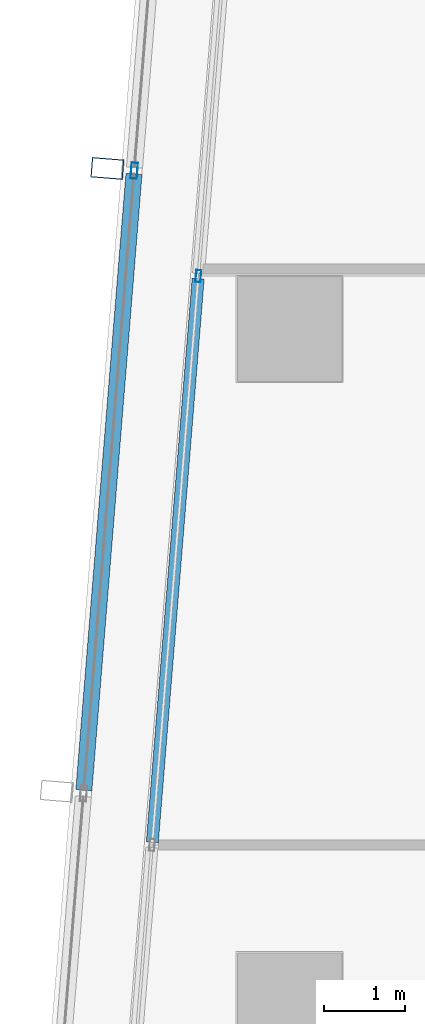
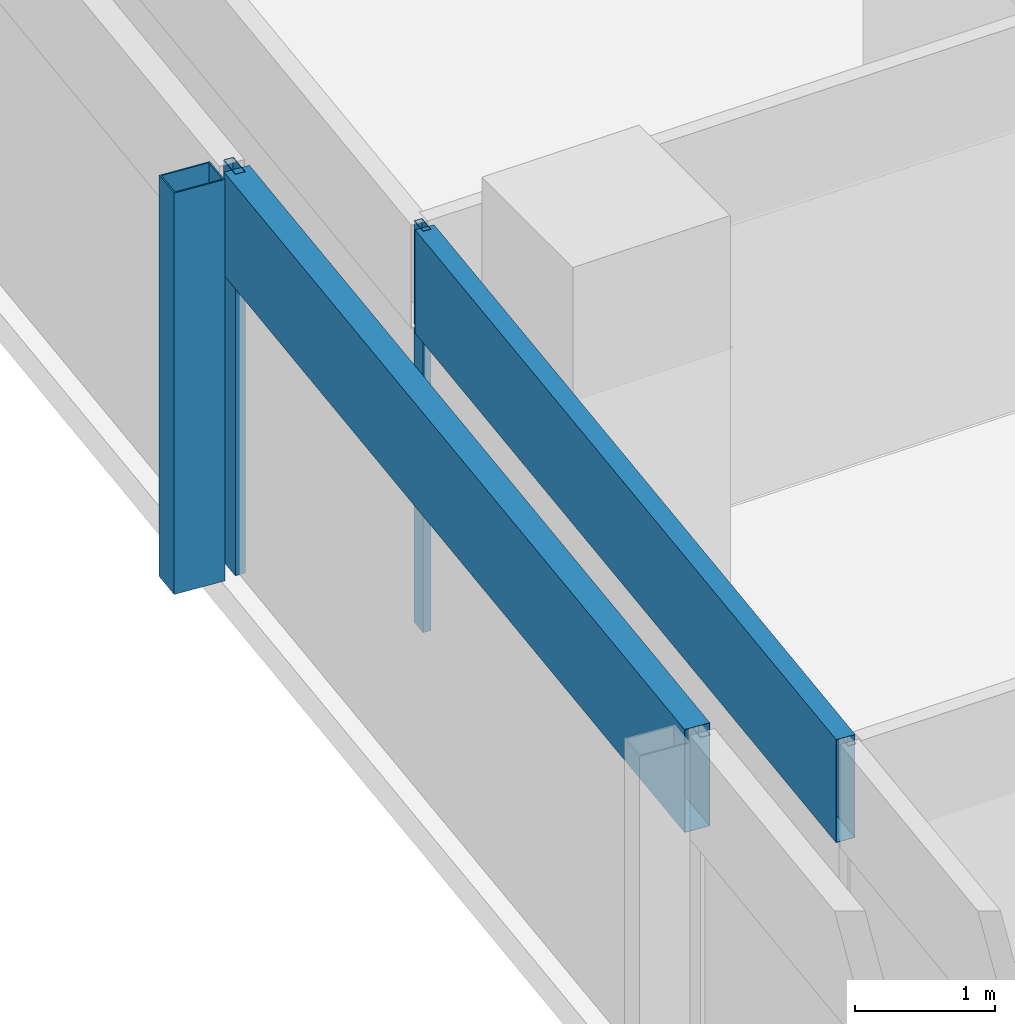
# One storey, part 8 of 29: 5 members, 2 elements without a shape of their own.
"""IFC4 building model written with IfcOpenShell, lengths in metres."""

from ifc_helpers import new_model, si_unit, direction, frame, origin, origin_2d, place, context, subcontext, project, spatial, hollow_rectangle, extrude, material, material_profile, profile_set, type_object, element, aggregate, save


model = new_model("IFC4")

# Units and contexts
model_context = context("Model", 3, precision=1e-05, world=origin(), true_north=direction((0.0, 1.0)))
body_context = subcontext(model_context, "Body", "Model", "MODEL_VIEW")
ifc_project = project(units=[si_unit("LENGTHUNIT", "METRE"), si_unit("AREAUNIT", "SQUARE_METRE"), si_unit("VOLUMEUNIT", "CUBIC_METRE"), si_unit("PLANEANGLEUNIT", "RADIAN"), si_unit("MASSUNIT", "GRAM", prefix="KILO")], contexts=[model_context])

# Site, building, storey
site_placement = place(None, origin())
site = spatial("IfcSite", under=ifc_project, at=site_placement, CompositionType="ELEMENT")
building_placement = place(site_placement, origin())
building = spatial("IfcBuilding", under=site, at=building_placement, Name="Rekha Terrace Tower", CompositionType="ELEMENT")
storey_placement = place(building_placement, frame((0.0, 0.0, 276.35009765625)))
storey = spatial("IfcBuildingStorey", under=building, at=storey_placement, Name="L70", CompositionType="ELEMENT", Elevation=276.35009765625)

# Curtain wall, member
ifc_material_1 = material(Name="Aluminium framing", Category="aluminium")
curtain_wall_type_1 = type_object("IfcCurtainWallType", Name="CW2 double skin outer glazing", PredefinedType="USERDEFINED", material=ifc_material_1)
curtain_wall_1_placement = place(storey_placement, origin())
curtain_wall_1 = element("IfcCurtainWall", 1, at=curtain_wall_1_placement, inside=storey, type_object=curtain_wall_type_1, Name="CW2 double skin outer glazing", ObjectType="DOUBLE SKIN OUTER GLAZING", PredefinedType="USERDEFINED")
ifc_material_2 = material(Name="Steel S355 with fluorocarbon finish", Category="steel")
ifc_material_profile_1 = material_profile(ifc_material_2, hollow_rectangle(XDim=0.25, YDim=0.39990234375, WallThickness=0.012451171875, at=origin_2d()), Name="RHS400x250x12.5")
ifc_profile_set_1 = profile_set([ifc_material_profile_1], Name="Steel S355 with fluorocarbon finish")
member_type_1 = type_object("IfcMemberType", Name="BL1 facade blade RHS 400 x 250", PredefinedType="USERDEFINED", material=ifc_profile_set_1)
member_1_placement = place(storey_placement, frame((6.135498046875, 43.9931640625, 0.0), z_axis=(0.0, 0.0, 1.0), x_axis=(-0.081068747348, -0.996708512156, 0.0)))
member_1 = element("IfcMember", 2, at=member_1_placement, type_object=member_type_1, Name="Facade blade", ObjectType="FACADE BLADE", PredefinedType="USERDEFINED", context=body_context, shape_type="SweptSolid", body=[
    extrude(hollow_rectangle(XDim=0.25, YDim=0.39990234375, WallThickness=0.012451171875, at=origin_2d()), origin(), (0.0, 0.0, 1.0), 3.5),
])

# Curtain wall, members
curtain_wall_type_2 = type_object("IfcCurtainWallType", Name="CW1 double skin inner glazing", PredefinedType="USERDEFINED", material=ifc_material_1)
curtain_wall_2_placement = place(storey_placement, origin())
curtain_wall_2 = element("IfcCurtainWall", 3, at=curtain_wall_2_placement, inside=storey, type_object=curtain_wall_type_2, Name="CW1 double skin inner glazing", ObjectType="DOUBLE SKIN INNER GLAZING", PredefinedType="USERDEFINED")
ifc_material_3 = material(Name="Aluminium mullion section", Category="aluminium")
ifc_material_profile_2 = material_profile(ifc_material_3, hollow_rectangle(XDim=0.06494140625, YDim=0.14990234375, WallThickness=0.00390625, at=origin_2d()), Name="AL RHS 65x150")
ifc_profile_set_2 = profile_set([ifc_material_profile_2], Name="Aluminium mullion section")
member_type_2 = type_object("IfcMemberType", Name="CW1 mullion RHS 65 x 150", PredefinedType="MULLION", material=ifc_profile_set_2)
member_2_placement = place(storey_placement, frame((7.265625, 42.65625, 0.0), z_axis=(0.0, 0.0, 1.0), x_axis=(0.996708580524, -0.081067906781, 0.0)))
member_2 = element("IfcMember", 4, at=member_2_placement, type_object=member_type_2, Name="CW1 mullion 2", PredefinedType="MULLION", context=body_context, shape_type="SweptSolid", body=[
    extrude(hollow_rectangle(XDim=0.06494140625, YDim=0.14990234375, WallThickness=0.00390625, at=origin_2d()), origin(), (0.0, 0.0, 1.0), 3.5),
])
ifc_material_4 = material(Name="Insulated aluminium spandrel box", Category="aluminium")
ifc_material_profile_3 = material_profile(ifc_material_4, hollow_rectangle(XDim=0.14990234375, YDim=0.89990234375, WallThickness=0.0029296875, at=origin_2d()), Name="AL SPANDREL BOX 150x900")
ifc_profile_set_3 = profile_set([ifc_material_profile_3], Name="Insulated aluminium spandrel box")
member_type_3 = type_object("IfcMemberType", Name="CW1 spandrel transom 150 x 900", PredefinedType="USERDEFINED", material=ifc_profile_set_3)
member_3_placement = place(storey_placement, frame((7.26318359375, 42.623779296875, 3.0498046875), z_axis=(-0.081080883426, -0.996707524976, 0.0), x_axis=(0.996707524976, -0.081080883426, 0.0)))
member_3 = element("IfcMember", 5, at=member_3_placement, type_object=member_type_3, Name="CW1 spandrel transom 2", ObjectType="TRANSOM", PredefinedType="USERDEFINED", context=body_context, shape_type="SweptSolid", body=[
    extrude(hollow_rectangle(XDim=0.14990234375, YDim=0.89990234375, WallThickness=0.0029296875, at=origin_2d()), origin(), (0.0, 0.0, 1.0), 7.02490234375),
])
aggregate(curtain_wall_2, [member_2, member_3])

# Member
ifc_material_profile_4 = material_profile(ifc_material_3, hollow_rectangle(XDim=0.080078125, YDim=0.199951171875, WallThickness=0.00390625, at=origin_2d()), Name="AL RHS 80x200")
ifc_profile_set_4 = profile_set([ifc_material_profile_4], Name="Aluminium mullion section")
member_type_4 = type_object("IfcMemberType", Name="CW2 mullion RHS 80 x 200", PredefinedType="MULLION", material=ifc_profile_set_4)
member_4_placement = place(storey_placement, frame((6.46923828125, 43.9658203125, 0.0), z_axis=(0.0, 0.0, 1.0), x_axis=(0.996708580521, -0.081067906816, 0.0)))
member_4 = element("IfcMember", 6, at=member_4_placement, type_object=member_type_4, Name="CW2 mullion 2", PredefinedType="MULLION", context=body_context, shape_type="SweptSolid", body=[
    extrude(hollow_rectangle(XDim=0.080078125, YDim=0.199951171875, WallThickness=0.00390625, at=origin_2d()), origin(), (0.0, 0.0, 1.0), 3.5),
])

ifc_material_profile_5 = material_profile(ifc_material_4, hollow_rectangle(XDim=0.199951171875, YDim=0.89990234375, WallThickness=0.0029296875, at=origin_2d()), Name="AL SPANDREL BOX 200x900")
ifc_profile_set_5 = profile_set([ifc_material_profile_5], Name="Insulated aluminium spandrel box")
member_type_5 = type_object("IfcMemberType", Name="CW2 spandrel transom 200 x 900", PredefinedType="USERDEFINED", material=ifc_profile_set_5)
member_5_placement = place(storey_placement, frame((6.466064453125, 43.926025390625, 3.0498046875), z_axis=(-0.081082991857, -0.996707353455, 0.0), x_axis=(0.996707353455, -0.081082991857, 0.0)))
member_5 = element("IfcMember", 7, at=member_5_placement, type_object=member_type_5, Name="CW2 spandrel transom 2", ObjectType="TRANSOM", PredefinedType="USERDEFINED", context=body_context, shape_type="SweptSolid", body=[
    extrude(hollow_rectangle(XDim=0.199951171875, YDim=0.89990234375, WallThickness=0.0029296875, at=origin_2d()), origin(), (0.0, 0.0, 1.0), 7.68115234375),
])

aggregate(curtain_wall_1, [member_4, member_5, member_1])

save(model, "model.ifc")
